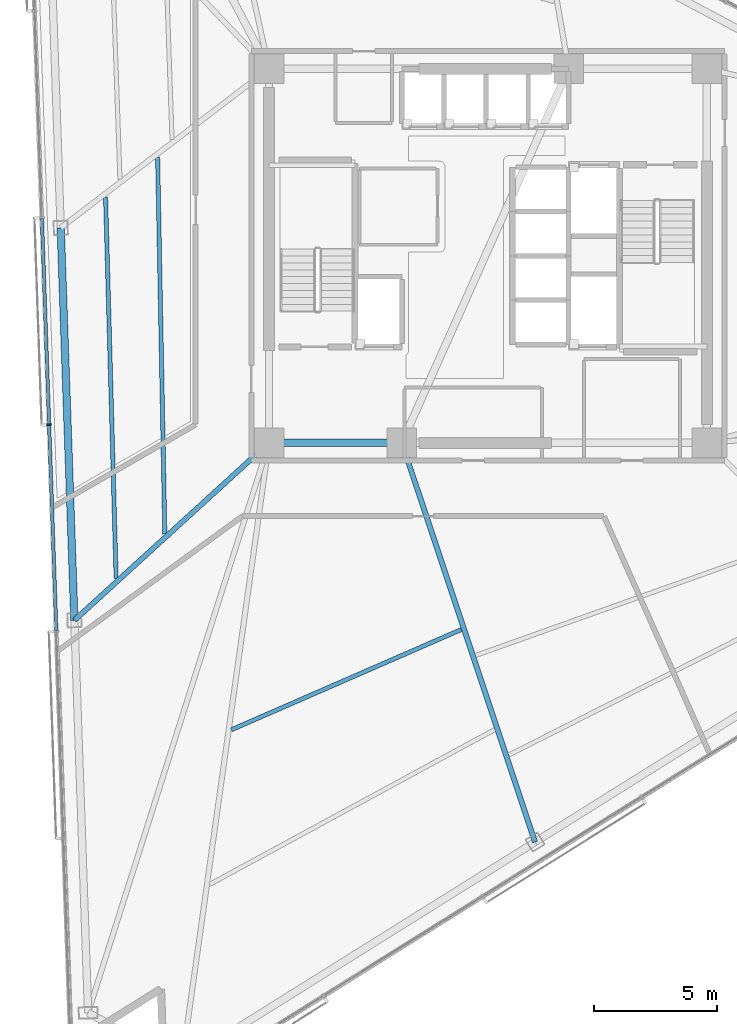
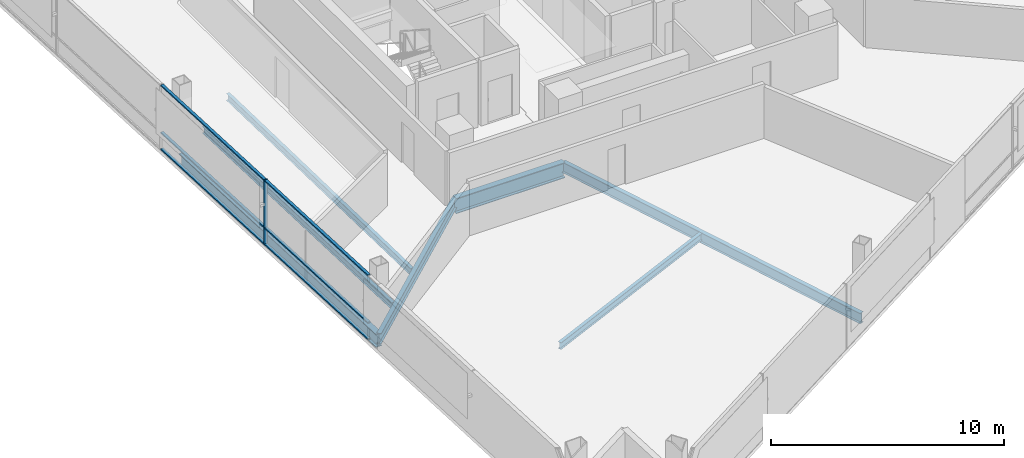
# One storey, part 4 of 18: 7 beams, 7 members, 1 element without a shape of its own.
"""IFC4 building model written with IfcOpenShell, lengths in metres."""

import ifcopenshell
import ifcopenshell.guid

model = None  # the IFC model being written
_history = None  # IfcOwnerHistory: only IFC2X3 demands one
_inside = {}  # id of a spatial element -> (the spatial element, [elements in it])
_under = {}  # id of a project, library or spatial element -> (it, [spatial elements below it])
_declared = {}  # id of a project -> (the project, [libraries it declares])
_typed = {}  # id of a type object -> (the type object, [elements of that type])
_made_of = {}  # id of a material, layer set ... -> (it, [elements and type objects made of it])


def new_model(schema):
    """Start an empty IFC model of exactly this schema.

    Asked for "IFC4X3", IfcOpenShell would pick the latest addendum, in which some entities
    have other attributes; the version numbers below select the first issue.
    IFC2X3 requires an IfcOwnerHistory on every rooted entity: one is made here for all.
    """
    global model, _history
    if schema == "IFC4X3":
        model = ifcopenshell.file(schema_version=(4, 3, 0, 0))
    else:
        model = ifcopenshell.file(schema=schema)
    _inside.clear()
    _under.clear()
    _declared.clear()
    _typed.clear()
    _made_of.clear()
    _history = None
    if model.schema == "IFC2X3":
        org = make("IfcOrganization", Name="unknown")
        user = make(
            "IfcPersonAndOrganization",
            ThePerson=make("IfcPerson", FamilyName="unknown"),
            TheOrganization=org,
        )
        app = make(
            "IfcApplication",
            ApplicationDeveloper=org,
            Version="unknown",
            ApplicationFullName="unknown",
            ApplicationIdentifier="unknown",
        )
        _history = make(
            "IfcOwnerHistory",
            OwningUser=user,
            OwningApplication=app,
            ChangeAction="ADDED",
            CreationDate=0,
        )
    return model


def make(cls, **values):
    """One entity of the class cls with the attributes given. An attribute that is None is left unset."""
    return model.create_entity(
        cls, **{name: value for name, value in values.items() if value is not None}
    )


def rooted(cls, **values):
    """An entity with a GlobalId (a new one), such as an element, a storey or a relation."""
    return make(cls, GlobalId=ifcopenshell.guid.new(), OwnerHistory=_history, **values)


def si_unit(unit_type, name, prefix=None):
    """IfcSIUnit, for example si_unit("LENGTHUNIT", "METRE", prefix="MILLI")."""
    return make("IfcSIUnit", UnitType=unit_type, Prefix=prefix, Name=name)


def assignment(units):
    """IfcUnitAssignment: the units of a project."""
    return None if units is None else make("IfcUnitAssignment", Units=units)


def point(xyz):
    """IfcCartesianPoint."""
    return None if xyz is None else make("IfcCartesianPoint", Coordinates=xyz)


def direction(xyz):
    """IfcDirection."""
    return None if xyz is None else make("IfcDirection", DirectionRatios=xyz)


def frame(location, z_axis=None, x_axis=None):
    """IfcAxis2Placement3D, a coordinate frame: its origin and axes. An axis left out is left unset."""
    return make(
        "IfcAxis2Placement3D",
        Location=point(location),
        Axis=direction(z_axis),
        RefDirection=direction(x_axis),
    )


def frame_2d(location, x_axis=None):
    """IfcAxis2Placement2D, a coordinate frame in the plane: its origin and x axis."""
    return make(
        "IfcAxis2Placement2D", Location=point(location), RefDirection=direction(x_axis)
    )


def origin():
    """The frame at (0, 0, 0) with its axes left unset."""
    return frame((0.0, 0.0, 0.0))


def origin_2d():
    """The frame at (0, 0) in the plane with its x axis left unset."""
    return frame_2d((0.0, 0.0))


def place(relative_to, where):
    """IfcLocalPlacement: puts the frame where relative to a parent placement (None: the world)."""
    return make(
        "IfcLocalPlacement", PlacementRelTo=relative_to, RelativePlacement=where
    )


def context(
    kind, dimensions, precision=None, world=None, true_north=None, identifier=None
):
    """IfcGeometricRepresentationContext, for example the 3D "Model" context."""
    return make(
        "IfcGeometricRepresentationContext",
        ContextIdentifier=identifier,
        ContextType=kind,
        CoordinateSpaceDimension=dimensions,
        Precision=precision,
        WorldCoordinateSystem=world,
        TrueNorth=true_north,
    )


def subcontext(parent, identifier, kind, view, scale=None):
    """IfcGeometricRepresentationSubContext, for example "Body" below "Model"."""
    return make(
        "IfcGeometricRepresentationSubContext",
        ContextIdentifier=identifier,
        ContextType=kind,
        ParentContext=parent,
        TargetScale=scale,
        TargetView=view,
    )


def project(units=None, contexts=None):
    """IfcProject with its units and contexts."""
    return rooted(
        "IfcProject",
        Name="project",
        RepresentationContexts=contexts,
        UnitsInContext=assignment(units),
    )


def spatial(cls, under=None, at=None, **own):
    """A site, building, storey or space (cls), placed at a placement, below another one or the project."""
    s = rooted(cls, ObjectPlacement=at, **own)
    if under is not None:
        _under.setdefault(under.id(), (under, []))[1].append(s)
    return s


def profile(cls, at=None, kind="AREA", **sizes):
    """A parametric profile (cls). Its sizes go by their IFC names, for example OverallWidth=200.0."""
    return make(cls, ProfileType=kind, Position=at, **sizes)


def rectangle(**sizes):
    """IfcRectangleProfileDef."""
    return profile("IfcRectangleProfileDef", **sizes)


def i_section(**sizes):
    """IfcIShapeProfileDef."""
    return profile("IfcIShapeProfileDef", **sizes)


def extrude(swept, where, along, depth):
    """IfcExtrudedAreaSolid: the profile swept, set in the frame where, extruded along a direction by depth."""
    return make(
        "IfcExtrudedAreaSolid",
        SweptArea=swept,
        Position=where,
        ExtrudedDirection=direction(along),
        Depth=depth,
    )


def shape(context_of_items, identifier, shape_type, items):
    """IfcShapeRepresentation: the items that make up one representation, for example the "Body"."""
    return make(
        "IfcShapeRepresentation",
        ContextOfItems=context_of_items,
        RepresentationIdentifier=identifier,
        RepresentationType=shape_type,
        Items=items,
    )


def material(Name=None, Category=None):
    """IfcMaterial."""
    return make("IfcMaterial", Name=Name, Category=Category)


def layer(
    of_material, thickness, ventilated=None, Name=None, Category=None, Priority=None
):
    """IfcMaterialLayer: one layer of a wall or slab, of a material (None: an air gap)."""
    return make(
        "IfcMaterialLayer",
        Material=of_material,
        LayerThickness=thickness,
        IsVentilated=ventilated,
        Name=Name,
        Category=Category,
        Priority=Priority,
    )


def layer_set(layers, Name=None):
    """IfcMaterialLayerSet."""
    return make("IfcMaterialLayerSet", MaterialLayers=layers, LayerSetName=Name)


def material_profile(
    of_material, cross_section, Name=None, Category=None, Priority=None
):
    """IfcMaterialProfile: a cross section and its material."""
    return make(
        "IfcMaterialProfile",
        Name=Name,
        Material=of_material,
        Profile=cross_section,
        Priority=Priority,
        Category=Category,
    )


def profile_set(profiles, Name=None, composite=None):
    """IfcMaterialProfileSet."""
    return make(
        "IfcMaterialProfileSet",
        Name=Name,
        MaterialProfiles=profiles,
        CompositeProfile=composite,
    )


def made_of(thing, what):
    """Note that an element or type object is made of a material, layer set ...; save() writes the relation."""
    if what is not None:
        _made_of.setdefault(what.id(), (what, []))[1].append(thing)
    return thing


def type_object(cls, material=None, **own):
    """A type object (cls), such as IfcWallType, which elements share."""
    return made_of(rooted(cls, **own), material)


def element(
    cls,
    number,
    at=None,
    inside=None,
    cuts=None,
    type_object=None,
    material=None,
    context=None,
    identifier="Body",
    shape_type=None,
    held_by="IfcProductDefinitionShape",
    body=None,
    shapes=None,
    **own,
):
    """One element of the class cls, such as IfcWall. Its Tag is "e" and its number.

    at: its placement. inside: the storey or other place that contains it. cuts: it is an
    opening in that element (IfcRelVoidsElement). A single representation is given by context,
    identifier, shape_type and body (its items); several are given by shapes. held_by: the class
    of the entity that holds the representations. save() writes the other relations.
    """
    e = rooted(cls, Tag="e%d" % number, ObjectPlacement=at, **own)
    if body is not None:
        shapes = [shape(context, identifier, shape_type, body)]
    if shapes is not None:
        e.Representation = make(held_by, Representations=shapes)
    if inside is not None:
        _inside.setdefault(inside.id(), (inside, []))[1].append(e)
    if cuts is not None:
        rooted(
            "IfcRelVoidsElement", RelatingBuildingElement=cuts, RelatedOpeningElement=e
        )
    if type_object is not None:
        _typed.setdefault(type_object.id(), (type_object, []))[1].append(e)
    return made_of(e, material)


def aggregate(whole, parts):
    """IfcRelAggregates: a whole, such as a stair, and the parts it consists of."""
    return rooted("IfcRelAggregates", RelatingObject=whole, RelatedObjects=parts)


def save(model, path):
    """Write the relations noted so far, then the file.

    IfcRelAggregates (storeys below a building ...), IfcRelContainedInSpatialStructure (elements
    in a storey), IfcRelDefinesByType, IfcRelAssociatesMaterial and IfcRelDeclares: one each for
    every whole, place, type object, material and project.
    """
    for whole, parts in _under.values():
        aggregate(whole, parts)
    for where, things in _inside.values():
        rooted(
            "IfcRelContainedInSpatialStructure",
            RelatedElements=things,
            RelatingStructure=where,
        )
    for kind, things in _typed.values():
        rooted("IfcRelDefinesByType", RelatedObjects=things, RelatingType=kind)
    for what, things in _made_of.values():
        rooted("IfcRelAssociatesMaterial", RelatedObjects=things, RelatingMaterial=what)
    for by, libraries in _declared.values():
        rooted("IfcRelDeclares", RelatingContext=by, RelatedDefinitions=libraries)
    model.write(path)


model = new_model("IFC4")

# Units and contexts
model_context = context("Model", 3, precision=1e-05, world=origin(), true_north=direction((0.0, 1.0)))
body_context = subcontext(model_context, "Body", "Model", "MODEL_VIEW")
ifc_project = project(units=[si_unit("LENGTHUNIT", "METRE"), si_unit("AREAUNIT", "SQUARE_METRE"), si_unit("VOLUMEUNIT", "CUBIC_METRE"), si_unit("PLANEANGLEUNIT", "RADIAN"), si_unit("MASSUNIT", "GRAM", prefix="KILO")], contexts=[model_context])

# Site, building, storey
site_placement = place(None, origin())
site = spatial("IfcSite", under=ifc_project, at=site_placement, CompositionType="ELEMENT")
building_placement = place(site_placement, origin())
building = spatial("IfcBuilding", under=site, at=building_placement, Name="Tharavind Bronze Gate", CompositionType="ELEMENT")
storey_placement = place(building_placement, frame((0.0, 0.0, 153.199951171875)))
storey = spatial("IfcBuildingStorey", under=building, at=storey_placement, Name="L39", CompositionType="ELEMENT", Elevation=153.199951171875)

# Curtain wall, members
ifc_material_1 = material(Name="Anodised Bronze Aluminium", Category="aluminium")
ifc_layer = layer(ifc_material_1, 0.219970703125)
ifc_layer_set = layer_set([ifc_layer], Name="Anodised Bronze Aluminium")
curtain_wall_type = type_object("IfcCurtainWallType", Name="UNITISED CURTAIN WALL MID OFFICE", PredefinedType="USERDEFINED", material=ifc_layer_set)
curtain_wall_placement = place(storey_placement, origin())
curtain_wall = element("IfcCurtainWall", 1, at=curtain_wall_placement, inside=storey, type_object=curtain_wall_type, Name="L39 unitised curtain wall mid office CW-L39-S1", ObjectType="UNITISED CURTAIN WALL", PredefinedType="USERDEFINED")
member_type_1 = type_object("IfcMemberType", Name="CURTAIN WALL BRONZE MULLION 65X180", PredefinedType="MULLION", material=ifc_material_1)
member_1_placement = place(storey_placement, frame((-17.8388671875, -6.86376953125, 0.0), z_axis=(0.0, 0.0, 1.0), x_axis=(0.034899496703, -0.999390827019, 0.0)))
member_1 = element("IfcMember", 2, at=member_1_placement, type_object=member_type_1, Name="CW-L39-S1 mullion 4", PredefinedType="MULLION", context=body_context, shape_type="SweptSolid", body=[
    extrude(rectangle(XDim=0.06494140625, YDim=0.179931640625, at=origin_2d()), origin(), (0.0, 0.0, 1.0), 3.409912109375),
])
member_type_2 = type_object("IfcMemberType", Name="CURTAIN WALL BRONZE TRANSOM 65X140", PredefinedType="USERDEFINED", material=ifc_material_1)
member_2_placement = place(storey_placement, frame((-17.985595703125, -2.6591796875, 0.0), z_axis=(0.0, 0.0, 1.0), x_axis=(0.034899496703, -0.999390827019, 0.0)))
member_2 = element("IfcMember", 3, at=member_2_placement, type_object=member_type_2, Name="CW-L39-S1 transom TB3", ObjectType="TRANSOM", PredefinedType="USERDEFINED", context=body_context, shape_type="SweptSolid", body=[
    extrude(rectangle(XDim=8.361572265625, YDim=0.139892578125, at=origin_2d()), origin(), (0.0, 0.0, 1.0), 0.06494140625),
])
member_3_placement = place(storey_placement, frame((-17.985595703125, -2.6591796875, 0.86767578125), z_axis=(0.0, 0.0, 1.0), x_axis=(0.034899496703, -0.999390827019, 0.0)))
member_3 = element("IfcMember", 4, at=member_3_placement, type_object=member_type_2, Name="CW-L39-S1 transom TS3", ObjectType="TRANSOM", PredefinedType="USERDEFINED", context=body_context, shape_type="SweptSolid", body=[
    extrude(rectangle(XDim=8.361572265625, YDim=0.139892578125, at=origin_2d()), origin(), (0.0, 0.0, 1.0), 0.06494140625),
])
member_4_placement = place(storey_placement, frame((-17.985595703125, -2.6591796875, 3.344970703125), z_axis=(0.0, 0.0, 1.0), x_axis=(0.034899496703, -0.999390827019, 0.0)))
member_4 = element("IfcMember", 5, at=member_4_placement, type_object=member_type_2, Name="CW-L39-S1 transom TT3", ObjectType="TRANSOM", PredefinedType="USERDEFINED", context=body_context, shape_type="SweptSolid", body=[
    extrude(rectangle(XDim=8.361572265625, YDim=0.139892578125, at=origin_2d()), origin(), (0.0, 0.0, 1.0), 0.06494140625),
])
member_5_placement = place(storey_placement, frame((-17.69189453125, -11.068603515625, 0.0), z_axis=(0.0, 0.0, 1.0), x_axis=(0.034899496703, -0.999390827019, 0.0)))
member_5 = element("IfcMember", 6, at=member_5_placement, type_object=member_type_2, Name="CW-L39-S1 transom TB4", ObjectType="TRANSOM", PredefinedType="USERDEFINED", context=body_context, shape_type="SweptSolid", body=[
    extrude(rectangle(XDim=8.361572265625, YDim=0.139892578125, at=origin_2d()), origin(), (0.0, 0.0, 1.0), 0.06494140625),
])
member_6_placement = place(storey_placement, frame((-17.69189453125, -11.068603515625, 0.86767578125), z_axis=(0.0, 0.0, 1.0), x_axis=(0.034899496703, -0.999390827019, 0.0)))
member_6 = element("IfcMember", 7, at=member_6_placement, type_object=member_type_2, Name="CW-L39-S1 transom TS4", ObjectType="TRANSOM", PredefinedType="USERDEFINED", context=body_context, shape_type="SweptSolid", body=[
    extrude(rectangle(XDim=8.361572265625, YDim=0.139892578125, at=origin_2d()), origin(), (0.0, 0.0, 1.0), 0.06494140625),
])
member_7_placement = place(storey_placement, frame((-17.69189453125, -11.068603515625, 3.344970703125), z_axis=(0.0, 0.0, 1.0), x_axis=(0.034899496703, -0.999390827019, 0.0)))
member_7 = element("IfcMember", 8, at=member_7_placement, type_object=member_type_2, Name="CW-L39-S1 transom TT4", ObjectType="TRANSOM", PredefinedType="USERDEFINED", context=body_context, shape_type="SweptSolid", body=[
    extrude(rectangle(XDim=8.361572265625, YDim=0.139892578125, at=origin_2d()), origin(), (0.0, 0.0, 1.0), 0.06494140625),
])
aggregate(curtain_wall, [member_1, member_2, member_3, member_4, member_5, member_6, member_7])

# Beams
ifc_material_2 = material(Name="Steel S355", Category="steel")
ifc_material_profile_1 = material_profile(ifc_material_2, i_section(OverallWidth=0.2099609375, OverallDepth=0.550048828125, WebThickness=0.010986328125, FlangeThickness=0.01708984375, at=origin_2d()), Name="IPE550")
ifc_profile_set_1 = profile_set([ifc_material_profile_1], Name="Steel S355")
beam_type_1 = type_object("IfcBeamType", Name="PRIMARY GIRDER IPE550", PredefinedType="USERDEFINED", material=ifc_profile_set_1)
beam_1_placement = place(storey_placement, frame((-16.810791015625, -14.814208984375, -0.46484375), z_axis=(0.738898073341, 0.673817213503, 0.0), x_axis=(-0.673817213503, 0.738898073341, 0.0)))
element("IfcBeam", 9, at=beam_1_placement, inside=storey, type_object=beam_type_1, Name="L39 primary girder ipe550 BM-L39-RAD03", ObjectType="GIRDER", PredefinedType="USERDEFINED", context=body_context, shape_type="SweptSolid", body=[
    extrude(i_section(OverallWidth=0.2099609375, OverallDepth=0.550048828125, WebThickness=0.010986328125, FlangeThickness=0.01708984375, at=origin_2d()), origin(), (0.0, 0.0, 1.0), 10.706298828125),
])
beam_2_placement = place(storey_placement, frame((1.912353515625, -23.827880859375, -0.46484375), z_axis=(-0.316390459334, 0.948629051444, 0.0), x_axis=(-0.948629051444, -0.316390459334, 0.0)))
element("IfcBeam", 10, at=beam_2_placement, inside=storey, type_object=beam_type_1, Name="L39 primary girder ipe550 BM-L39-RAD06", ObjectType="GIRDER", PredefinedType="USERDEFINED", context=body_context, shape_type="SweptSolid", body=[
    extrude(i_section(OverallWidth=0.2099609375, OverallDepth=0.550048828125, WebThickness=0.010986328125, FlangeThickness=0.01708984375, at=origin_2d()), origin(), (0.0, 0.0, 1.0), 17.1064453125),
])
ifc_material_profile_2 = material_profile(ifc_material_2, i_section(OverallWidth=0.300048828125, OverallDepth=0.699951171875, WebThickness=0.01708984375, FlangeThickness=0.031982421875, at=origin_2d()), Name="HE700B")
ifc_profile_set_2 = profile_set([ifc_material_profile_2], Name="Steel S355")
beam_type_2 = type_object("IfcBeamType", Name="RING GIRDER HE700B", PredefinedType="USERDEFINED", material=ifc_profile_set_2)
beam_3_placement = place(storey_placement, frame((-17.367919921875, 1.138916015625, -0.5400390625), z_axis=(0.03490159311, -0.999390753809, 0.0), x_axis=(0.999390753809, 0.03490159311, 0.0)))
element("IfcBeam", 11, at=beam_3_placement, inside=storey, type_object=beam_type_2, Name="L39 ring girder he700b BM-L39-PRG02", ObjectType="GIRDER", PredefinedType="USERDEFINED", context=body_context, shape_type="SweptSolid", body=[
    extrude(i_section(OverallWidth=0.300048828125, OverallDepth=0.699951171875, WebThickness=0.01708984375, FlangeThickness=0.031982421875, at=origin_2d()), origin(), (0.0, 0.0, 1.0), 15.962890625),
])
ifc_material_profile_3 = material_profile(ifc_material_2, i_section(OverallWidth=0.300048828125, OverallDepth=0.800048828125, WebThickness=0.017578125, FlangeThickness=0.032958984375, at=origin_2d()), Name="HE800B")
ifc_profile_set_3 = profile_set([ifc_material_profile_3], Name="Steel S355")
beam_type_3 = type_object("IfcBeamType", Name="RING GIRDER HE800B", PredefinedType="USERDEFINED", material=ifc_profile_set_3)
beam_4_placement = place(storey_placement, frame((-8.89990234375, -7.60009765625, -0.58984375), z_axis=(1.0, 0.0, 0.0), x_axis=(0.0, 1.0, 0.0)))
element("IfcBeam", 12, at=beam_4_placement, inside=storey, type_object=beam_type_3, Name="L39 ring girder he800b BM-L39-CR1", ObjectType="GIRDER", PredefinedType="USERDEFINED", context=body_context, shape_type="SweptSolid", body=[
    extrude(i_section(OverallWidth=0.300048828125, OverallDepth=0.800048828125, WebThickness=0.017578125, FlangeThickness=0.032958984375, at=origin_2d()), origin(), (0.0, 0.0, 1.0), 5.39990234375),
])
ifc_material_profile_4 = material_profile(ifc_material_2, i_section(OverallWidth=0.169921875, OverallDepth=0.360107421875, WebThickness=0.008056640625, FlangeThickness=0.0126953125, at=origin_2d()), Name="IPE360")
ifc_profile_set_4 = profile_set([ifc_material_profile_4], Name="Steel S355")
beam_type_4 = type_object("IfcBeamType", Name="SECONDARY FLOOR JOIST IPE360", PredefinedType="JOIST", material=ifc_profile_set_4)
beam_5_placement = place(storey_placement, frame((-13.427734375, 4.00927734375, -0.369873046875), z_axis=(0.019097389541, -0.999817628227, 0.0), x_axis=(0.999817628227, 0.019097389541, 0.0)))
element("IfcBeam", 13, at=beam_5_placement, inside=storey, type_object=beam_type_4, Name="L39 secondary floor joist ipe360 BM-L39-JSTA02", PredefinedType="JOIST", context=body_context, shape_type="SweptSolid", body=[
    extrude(i_section(OverallWidth=0.169921875, OverallDepth=0.360107421875, WebThickness=0.008056640625, FlangeThickness=0.0126953125, at=origin_2d()), origin(), (0.0, 0.0, 1.0), 15.327880859375),
])
beam_6_placement = place(storey_placement, frame((-15.54345703125, 2.394775390625, -0.369873046875), z_axis=(0.027683678479, -0.999616733526, 0.0), x_axis=(0.999616733526, 0.027683678479, 0.0)))
element("IfcBeam", 14, at=beam_6_placement, inside=storey, type_object=beam_type_4, Name="L39 secondary floor joist ipe360 BM-L39-JSTB02", PredefinedType="JOIST", context=body_context, shape_type="SweptSolid", body=[
    extrude(i_section(OverallWidth=0.169921875, OverallDepth=0.360107421875, WebThickness=0.008056640625, FlangeThickness=0.0126953125, at=origin_2d()), origin(), (0.0, 0.0, 1.0), 15.521240234375),
])
beam_7_placement = place(storey_placement, frame((-10.42919921875, -19.26513671875, -0.369873046875), z_axis=(0.916635905252, 0.399723175715, 0.0), x_axis=(-0.399723175715, 0.916635905252, 0.0)))
element("IfcBeam", 15, at=beam_7_placement, inside=storey, type_object=beam_type_4, Name="L39 secondary floor joist ipe360 BM-L39-JSTA05", PredefinedType="JOIST", context=body_context, shape_type="SweptSolid", body=[
    extrude(i_section(OverallWidth=0.169921875, OverallDepth=0.360107421875, WebThickness=0.008056640625, FlangeThickness=0.0126953125, at=origin_2d()), origin(), (0.0, 0.0, 1.0), 10.195556640625),
])

save(model, "model.ifc")
